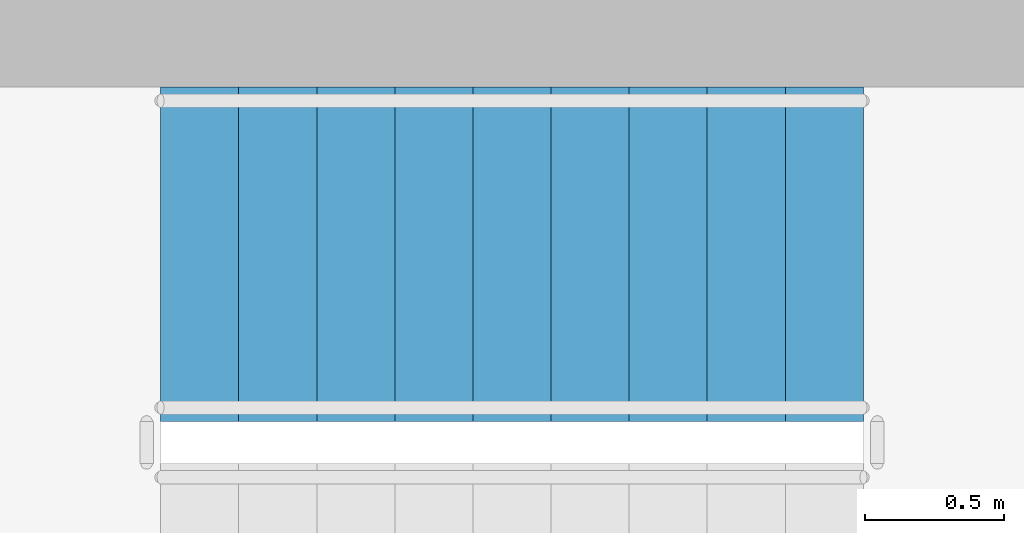
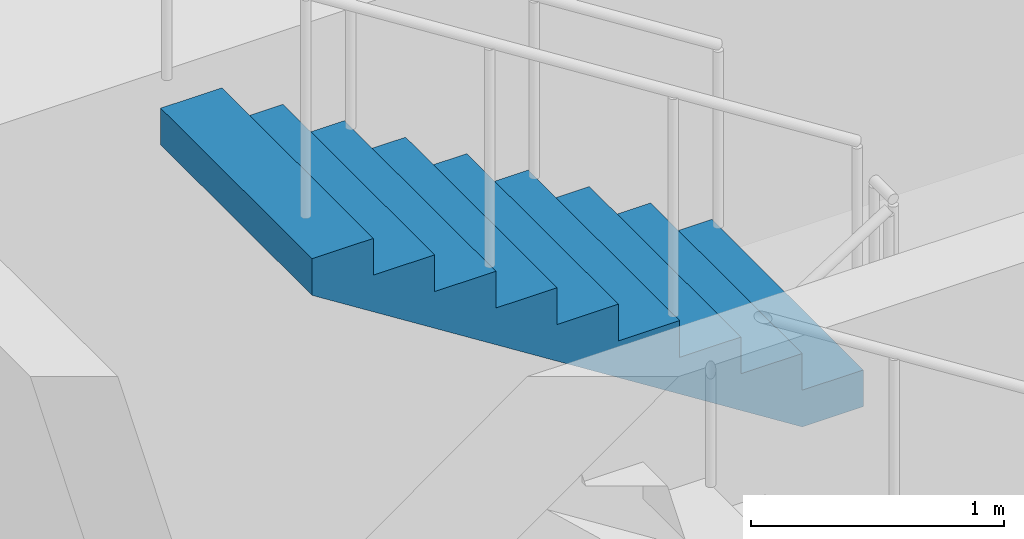
# One storey, part 13 of 17: 1 stair flight, 1 element without a shape of its own.
"""IFC4 building model written with IfcOpenShell, lengths in metres."""

from ifc_helpers import new_model, si_unit, direction, frame, origin, place, context, subcontext, project, spatial, polyline, outline, extrude, material, type_object, element, aggregate, save


model = new_model("IFC4")

# Units and contexts
model_context = context("Model", 3, precision=1e-05, world=origin(), true_north=direction((0.0, 1.0)))
body_context = subcontext(model_context, "Body", "Model", "MODEL_VIEW")
ifc_project = project(units=[si_unit("LENGTHUNIT", "METRE"), si_unit("AREAUNIT", "SQUARE_METRE"), si_unit("VOLUMEUNIT", "CUBIC_METRE"), si_unit("PLANEANGLEUNIT", "RADIAN"), si_unit("MASSUNIT", "GRAM", prefix="KILO")], contexts=[model_context])

# Site, building, storey
site_placement = place(None, origin())
site = spatial("IfcSite", under=ifc_project, at=site_placement, CompositionType="ELEMENT")
building_placement = place(site_placement, origin())
building = spatial("IfcBuilding", under=site, at=building_placement, Name="Ostrand Prow Hotel Tower", CompositionType="ELEMENT")
storey_placement = place(building_placement, frame((0.0, 0.0, 130.199951171875)))
storey = spatial("IfcBuildingStorey", under=building, at=storey_placement, Name="L31", CompositionType="ELEMENT", Elevation=130.199951171875)

# Stair, stair flight
ifc_material_1 = material(Name="Concrete C40/50", Category="concrete")
stair_type = type_object("IfcStairType", Name="Exit stair 1200 upper zone", PredefinedType="HALF_TURN_STAIR", material=ifc_material_1)
stair_placement = place(storey_placement, origin())
stair = element("IfcStair", 1, at=stair_placement, inside=storey, type_object=stair_type, Name="L31 ST3C", PredefinedType="HALF_TURN_STAIR")
ifc_material_2 = material(Name="Concrete C40/50", Category="concrete")
stair_flight_type = type_object("IfcStairFlightType", Name="Stair flight 1200 concrete", PredefinedType="STRAIGHT", material=ifc_material_2)
stair_flight_placement = place(storey_placement, frame((59.719970703125, 15.14990234375, 1.775146484375), z_axis=(0.0, 0.0, 1.0), x_axis=(-1.0, 0.0, 0.0)))
stair_flight = element("IfcStairFlight", 2, at=stair_flight_placement, type_object=stair_flight_type, Name="ST3C flight 2", NumberOfRisers=10, NumberOfTreads=9, PredefinedType="STRAIGHT", RiserHeight=0.1775, TreadLength=0.28, context=body_context, shape_type="SweptSolid", body=[
    extrude(outline(polyline([(0.0, 0.0), (0.0, 0.177490234375), (0.280029296875, 0.177490234375), (0.280029296875, 0.35498046875), (0.56005859375, 0.35498046875), (0.56005859375, 0.532470703125), (0.840087890625, 0.532470703125), (0.840087890625, 0.7099609375), (1.1201171875, 0.7099609375), (1.1201171875, 0.887451171875), (1.39990234375, 0.887451171875), (1.39990234375, 1.06494140625), (1.679931640625, 1.06494140625), (1.679931640625, 1.242431640625), (1.9599609375, 1.242431640625), (1.9599609375, 1.419921875), (2.239990234375, 1.419921875), (2.239990234375, 1.597412109375), (2.52001953125, 1.597412109375), (2.52001953125, 1.77490234375), (2.52001953125, 1.419921875), (0.280029296875, 0.0), (0.0, 0.0)])), frame((0.0, 0.60009765625, 0.0), z_axis=(0.0, -1.0, 0.0), x_axis=(1.0, 0.0, 0.0)), (0.0, 0.0, 1.0), 1.199951171875),
])
aggregate(stair, [stair_flight])

save(model, "model.ifc")
